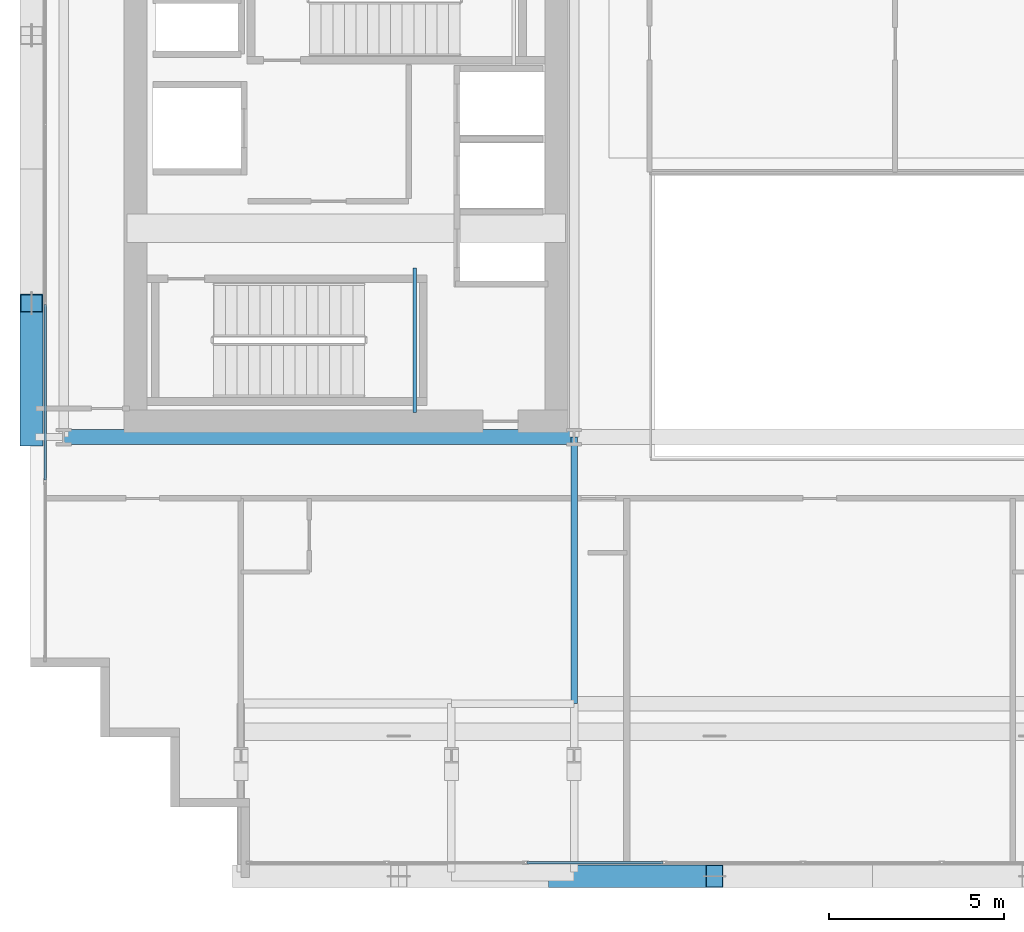
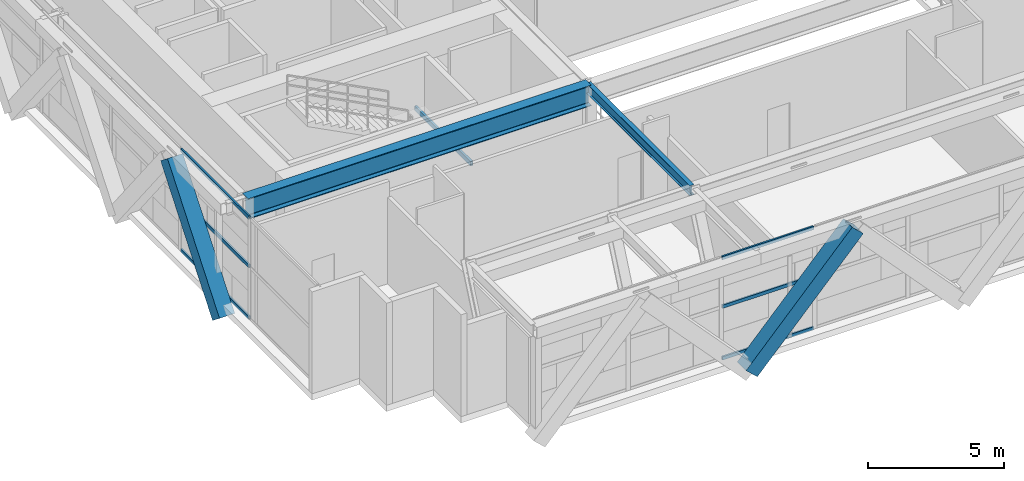
# One storey, part 3 of 35: 8 members, 3 beams, 2 elements without a shape of their own.
"""IFC4 building model written with IfcOpenShell, lengths in metres."""

import ifcopenshell
import ifcopenshell.guid

model = None  # the IFC model being written
_history = None  # IfcOwnerHistory: only IFC2X3 demands one
_inside = {}  # id of a spatial element -> (the spatial element, [elements in it])
_under = {}  # id of a project, library or spatial element -> (it, [spatial elements below it])
_declared = {}  # id of a project -> (the project, [libraries it declares])
_typed = {}  # id of a type object -> (the type object, [elements of that type])
_made_of = {}  # id of a material, layer set ... -> (it, [elements and type objects made of it])


def new_model(schema):
    """Start an empty IFC model of exactly this schema.

    Asked for "IFC4X3", IfcOpenShell would pick the latest addendum, in which some entities
    have other attributes; the version numbers below select the first issue.
    IFC2X3 requires an IfcOwnerHistory on every rooted entity: one is made here for all.
    """
    global model, _history
    if schema == "IFC4X3":
        model = ifcopenshell.file(schema_version=(4, 3, 0, 0))
    else:
        model = ifcopenshell.file(schema=schema)
    _inside.clear()
    _under.clear()
    _declared.clear()
    _typed.clear()
    _made_of.clear()
    _history = None
    if model.schema == "IFC2X3":
        org = make("IfcOrganization", Name="unknown")
        user = make(
            "IfcPersonAndOrganization",
            ThePerson=make("IfcPerson", FamilyName="unknown"),
            TheOrganization=org,
        )
        app = make(
            "IfcApplication",
            ApplicationDeveloper=org,
            Version="unknown",
            ApplicationFullName="unknown",
            ApplicationIdentifier="unknown",
        )
        _history = make(
            "IfcOwnerHistory",
            OwningUser=user,
            OwningApplication=app,
            ChangeAction="ADDED",
            CreationDate=0,
        )
    return model


def make(cls, **values):
    """One entity of the class cls with the attributes given. An attribute that is None is left unset."""
    return model.create_entity(
        cls, **{name: value for name, value in values.items() if value is not None}
    )


def rooted(cls, **values):
    """An entity with a GlobalId (a new one), such as an element, a storey or a relation."""
    return make(cls, GlobalId=ifcopenshell.guid.new(), OwnerHistory=_history, **values)


def si_unit(unit_type, name, prefix=None):
    """IfcSIUnit, for example si_unit("LENGTHUNIT", "METRE", prefix="MILLI")."""
    return make("IfcSIUnit", UnitType=unit_type, Prefix=prefix, Name=name)


def assignment(units):
    """IfcUnitAssignment: the units of a project."""
    return None if units is None else make("IfcUnitAssignment", Units=units)


def point(xyz):
    """IfcCartesianPoint."""
    return None if xyz is None else make("IfcCartesianPoint", Coordinates=xyz)


def direction(xyz):
    """IfcDirection."""
    return None if xyz is None else make("IfcDirection", DirectionRatios=xyz)


def frame(location, z_axis=None, x_axis=None):
    """IfcAxis2Placement3D, a coordinate frame: its origin and axes. An axis left out is left unset."""
    return make(
        "IfcAxis2Placement3D",
        Location=point(location),
        Axis=direction(z_axis),
        RefDirection=direction(x_axis),
    )


def frame_2d(location, x_axis=None):
    """IfcAxis2Placement2D, a coordinate frame in the plane: its origin and x axis."""
    return make(
        "IfcAxis2Placement2D", Location=point(location), RefDirection=direction(x_axis)
    )


def origin():
    """The frame at (0, 0, 0) with its axes left unset."""
    return frame((0.0, 0.0, 0.0))


def origin_2d():
    """The frame at (0, 0) in the plane with its x axis left unset."""
    return frame_2d((0.0, 0.0))


def place(relative_to, where):
    """IfcLocalPlacement: puts the frame where relative to a parent placement (None: the world)."""
    return make(
        "IfcLocalPlacement", PlacementRelTo=relative_to, RelativePlacement=where
    )


def context(
    kind, dimensions, precision=None, world=None, true_north=None, identifier=None
):
    """IfcGeometricRepresentationContext, for example the 3D "Model" context."""
    return make(
        "IfcGeometricRepresentationContext",
        ContextIdentifier=identifier,
        ContextType=kind,
        CoordinateSpaceDimension=dimensions,
        Precision=precision,
        WorldCoordinateSystem=world,
        TrueNorth=true_north,
    )


def subcontext(parent, identifier, kind, view, scale=None):
    """IfcGeometricRepresentationSubContext, for example "Body" below "Model"."""
    return make(
        "IfcGeometricRepresentationSubContext",
        ContextIdentifier=identifier,
        ContextType=kind,
        ParentContext=parent,
        TargetScale=scale,
        TargetView=view,
    )


def project(units=None, contexts=None):
    """IfcProject with its units and contexts."""
    return rooted(
        "IfcProject",
        Name="project",
        RepresentationContexts=contexts,
        UnitsInContext=assignment(units),
    )


def spatial(cls, under=None, at=None, **own):
    """A site, building, storey or space (cls), placed at a placement, below another one or the project."""
    s = rooted(cls, ObjectPlacement=at, **own)
    if under is not None:
        _under.setdefault(under.id(), (under, []))[1].append(s)
    return s


def profile(cls, at=None, kind="AREA", **sizes):
    """A parametric profile (cls). Its sizes go by their IFC names, for example OverallWidth=200.0."""
    return make(cls, ProfileType=kind, Position=at, **sizes)


def hollow_rectangle(**sizes):
    """IfcRectangleHollowProfileDef."""
    return profile("IfcRectangleHollowProfileDef", **sizes)


def i_section(**sizes):
    """IfcIShapeProfileDef."""
    return profile("IfcIShapeProfileDef", **sizes)


def extrude(swept, where, along, depth):
    """IfcExtrudedAreaSolid: the profile swept, set in the frame where, extruded along a direction by depth."""
    return make(
        "IfcExtrudedAreaSolid",
        SweptArea=swept,
        Position=where,
        ExtrudedDirection=direction(along),
        Depth=depth,
    )


def shape(context_of_items, identifier, shape_type, items):
    """IfcShapeRepresentation: the items that make up one representation, for example the "Body"."""
    return make(
        "IfcShapeRepresentation",
        ContextOfItems=context_of_items,
        RepresentationIdentifier=identifier,
        RepresentationType=shape_type,
        Items=items,
    )


def source(mapping_origin, context_of_items, identifier, shape_type, items):
    """IfcRepresentationMap: a shape defined once, which mapped items show again and again."""
    return make(
        "IfcRepresentationMap",
        MappingOrigin=mapping_origin,
        MappedRepresentation=shape(context_of_items, identifier, shape_type, items),
    )


def transform(
    local_origin,
    x_axis=None,
    y_axis=None,
    z_axis=None,
    scale=None,
    scale2=None,
    scale3=None,
    uniform=True,
):
    """IfcCartesianTransformationOperator3D, or its non-uniform kind. x_axis, y_axis, z_axis: its Axis1, 2, 3."""
    if uniform:
        return make(
            "IfcCartesianTransformationOperator3D",
            Axis1=direction(x_axis),
            Axis2=direction(y_axis),
            LocalOrigin=point(local_origin),
            Scale=scale,
            Axis3=direction(z_axis),
        )
    return make(
        "IfcCartesianTransformationOperator3DnonUniform",
        Axis1=direction(x_axis),
        Axis2=direction(y_axis),
        LocalOrigin=point(local_origin),
        Scale=scale,
        Axis3=direction(z_axis),
        Scale2=scale2,
        Scale3=scale3,
    )


def mapped(mapping_source, mapping_target):
    """IfcMappedItem: shows the shape of a source again, moved by a transform."""
    return make(
        "IfcMappedItem", MappingSource=mapping_source, MappingTarget=mapping_target
    )


def material(Name=None, Category=None):
    """IfcMaterial."""
    return make("IfcMaterial", Name=Name, Category=Category)


def layer(
    of_material, thickness, ventilated=None, Name=None, Category=None, Priority=None
):
    """IfcMaterialLayer: one layer of a wall or slab, of a material (None: an air gap)."""
    return make(
        "IfcMaterialLayer",
        Material=of_material,
        LayerThickness=thickness,
        IsVentilated=ventilated,
        Name=Name,
        Category=Category,
        Priority=Priority,
    )


def layer_set(layers, Name=None):
    """IfcMaterialLayerSet."""
    return make("IfcMaterialLayerSet", MaterialLayers=layers, LayerSetName=Name)


def material_profile(
    of_material, cross_section, Name=None, Category=None, Priority=None
):
    """IfcMaterialProfile: a cross section and its material."""
    return make(
        "IfcMaterialProfile",
        Name=Name,
        Material=of_material,
        Profile=cross_section,
        Priority=Priority,
        Category=Category,
    )


def profile_set(profiles, Name=None, composite=None):
    """IfcMaterialProfileSet."""
    return make(
        "IfcMaterialProfileSet",
        Name=Name,
        MaterialProfiles=profiles,
        CompositeProfile=composite,
    )


def made_of(thing, what):
    """Note that an element or type object is made of a material, layer set ...; save() writes the relation."""
    if what is not None:
        _made_of.setdefault(what.id(), (what, []))[1].append(thing)
    return thing


def type_object(cls, material=None, **own):
    """A type object (cls), such as IfcWallType, which elements share."""
    return made_of(rooted(cls, **own), material)


def element(
    cls,
    number,
    at=None,
    inside=None,
    cuts=None,
    type_object=None,
    material=None,
    context=None,
    identifier="Body",
    shape_type=None,
    held_by="IfcProductDefinitionShape",
    body=None,
    shapes=None,
    **own,
):
    """One element of the class cls, such as IfcWall. Its Tag is "e" and its number.

    at: its placement. inside: the storey or other place that contains it. cuts: it is an
    opening in that element (IfcRelVoidsElement). A single representation is given by context,
    identifier, shape_type and body (its items); several are given by shapes. held_by: the class
    of the entity that holds the representations. save() writes the other relations.
    """
    e = rooted(cls, Tag="e%d" % number, ObjectPlacement=at, **own)
    if body is not None:
        shapes = [shape(context, identifier, shape_type, body)]
    if shapes is not None:
        e.Representation = make(held_by, Representations=shapes)
    if inside is not None:
        _inside.setdefault(inside.id(), (inside, []))[1].append(e)
    if cuts is not None:
        rooted(
            "IfcRelVoidsElement", RelatingBuildingElement=cuts, RelatedOpeningElement=e
        )
    if type_object is not None:
        _typed.setdefault(type_object.id(), (type_object, []))[1].append(e)
    return made_of(e, material)


def aggregate(whole, parts):
    """IfcRelAggregates: a whole, such as a stair, and the parts it consists of."""
    return rooted("IfcRelAggregates", RelatingObject=whole, RelatedObjects=parts)


def save(model, path):
    """Write the relations noted so far, then the file.

    IfcRelAggregates (storeys below a building ...), IfcRelContainedInSpatialStructure (elements
    in a storey), IfcRelDefinesByType, IfcRelAssociatesMaterial and IfcRelDeclares: one each for
    every whole, place, type object, material and project.
    """
    for whole, parts in _under.values():
        aggregate(whole, parts)
    for where, things in _inside.values():
        rooted(
            "IfcRelContainedInSpatialStructure",
            RelatedElements=things,
            RelatingStructure=where,
        )
    for kind, things in _typed.values():
        rooted("IfcRelDefinesByType", RelatedObjects=things, RelatingType=kind)
    for what, things in _made_of.values():
        rooted("IfcRelAssociatesMaterial", RelatedObjects=things, RelatingMaterial=what)
    for by, libraries in _declared.values():
        rooted("IfcRelDeclares", RelatingContext=by, RelatedDefinitions=libraries)
    model.write(path)


model = new_model("IFC4")

# Units and contexts
model_context = context("Model", 3, precision=1e-05, world=origin(), true_north=direction((0.0, 1.0)))
body_context = subcontext(model_context, "Body", "Model", "MODEL_VIEW")
ifc_project = project(units=[si_unit("LENGTHUNIT", "METRE"), si_unit("AREAUNIT", "SQUARE_METRE"), si_unit("VOLUMEUNIT", "CUBIC_METRE"), si_unit("PLANEANGLEUNIT", "RADIAN"), si_unit("MASSUNIT", "GRAM", prefix="KILO")], contexts=[model_context])

# Site, building, storey
site_placement = place(None, origin())
site = spatial("IfcSite", under=ifc_project, at=site_placement, CompositionType="ELEMENT")
building_placement = place(site_placement, origin())
building = spatial("IfcBuilding", under=site, at=building_placement, Name="Ocotamira Hotel", CompositionType="ELEMENT")
storey_placement = place(building_placement, frame((0.0, 0.0, 158.39990234375)))
storey = spatial("IfcBuildingStorey", under=building, at=storey_placement, Name="L39", CompositionType="ELEMENT", Elevation=158.39990234375)

# Beams
ifc_material_1 = material(Name="Steel ASTM A500 Grade C", Category="steel")
ifc_material_profile_1 = material_profile(ifc_material_1, hollow_rectangle(XDim=0.10009765625, YDim=0.199951171875, WallThickness=0.008056640625, at=origin_2d()), Name="HSS200X100X8")
ifc_profile_set_1 = profile_set([ifc_material_profile_1], Name="Steel ASTM A500 Grade C")
beam_type_1 = type_object("IfcBeamType", Name="BM-STLDG-HSS200", PredefinedType="BEAM", material=ifc_profile_set_1)
shared_shape_1 = source(origin(), body_context, "Body", "SweptSolid", [
    extrude(hollow_rectangle(XDim=0.10009765625, YDim=0.199951171875, WallThickness=0.008056640625, at=origin_2d()), origin(), (0.0, 0.0, 1.0), 4.1201171875),
])
beam_1_placement = place(storey_placement, frame((18.949951171875, 15.25, 2.10009765625), z_axis=(0.0, 1.0, 0.0), x_axis=(-1.0, 0.0, 0.0)))
element("IfcBeam", 1, at=beam_1_placement, inside=storey, type_object=beam_type_1, Name="L39 Stair ST-1 Landing Bearer 1", PredefinedType="BEAM", context=body_context, shape_type="MappedRepresentation", body=[
    mapped(shared_shape_1, transform((0.0, 0.0, 0.0), scale=1.0)),
])
ifc_material_2 = material(Name="Steel ASTM A992 Grade 50", Category="steel")
ifc_material_profile_2 = material_profile(ifc_material_2, i_section(OverallWidth=0.41796875, OverallDepth=0.927001953125, WebThickness=0.019287109375, FlangeThickness=0.031982421875, FilletRadius=0.02392578125, at=origin_2d()), Name="W36X231")
ifc_profile_set_2 = profile_set([ifc_material_profile_2], Name="Steel ASTM A992 Grade 50")
beam_type_2 = type_object("IfcBeamType", Name="BM-GIRD-W36X231", PredefinedType="BEAM", material=ifc_profile_set_2)
shared_shape_2 = source(origin(), body_context, "Body", "SweptSolid", [
    extrude(i_section(OverallWidth=0.41796875, OverallDepth=0.927001953125, WebThickness=0.019287109375, FlangeThickness=0.031982421875, FilletRadius=0.02392578125, at=origin_2d()), origin(), (0.0, 0.0, 1.0), 14.550048828125),
])
beam_2_placement = place(storey_placement, frame((8.949951171875, 14.550048828125, 4.106689453125), z_axis=(1.0, 0.0, 0.0), x_axis=(0.0, 1.0, 0.0)))
element("IfcBeam", 2, at=beam_2_placement, inside=storey, type_object=beam_type_2, Name="L39 Girder Y14.55 X8.95-23.5", PredefinedType="BEAM", context=body_context, shape_type="MappedRepresentation", body=[
    mapped(shared_shape_2, transform((0.0, 0.0, 0.0), scale=1.0)),
])
ifc_material_profile_3 = material_profile(ifc_material_2, i_section(OverallWidth=0.18994140625, OverallDepth=0.45703125, WebThickness=0.009033203125, FlangeThickness=0.014404296875, FilletRadius=0.010009765625, at=origin_2d()), Name="W18X50")
ifc_profile_set_3 = profile_set([ifc_material_profile_3], Name="Steel ASTM A992 Grade 50")
beam_type_3 = type_object("IfcBeamType", Name="BM-SEC-W18X50", PredefinedType="JOIST", material=ifc_profile_set_3)
shared_shape_3 = source(origin(), body_context, "Body", "SweptSolid", [
    extrude(i_section(OverallWidth=0.18994140625, OverallDepth=0.45703125, WebThickness=0.009033203125, FlangeThickness=0.014404296875, FilletRadius=0.010009765625, at=origin_2d()), origin(), (0.0, 0.0, 1.0), 7.60009765625),
])
beam_3_placement = place(storey_placement, frame((23.5, 6.949951171875, 4.341552734375), z_axis=(0.0, 1.0, 0.0), x_axis=(-1.0, 0.0, 0.0)))
element("IfcBeam", 3, at=beam_3_placement, inside=storey, type_object=beam_type_3, Name="L39 Beam X23.5 Y6.95-14.55", PredefinedType="JOIST", context=body_context, shape_type="MappedRepresentation", body=[
    mapped(shared_shape_3, transform((0.0, 0.0, 0.0), scale=1.0)),
])

# Members
ifc_material_3 = material(Name="Pale-metal coated steel ASTM A913 Grade 65", Category="steel")
ifc_material_profile_4 = material_profile(ifc_material_3, hollow_rectangle(XDim=0.64990234375, YDim=0.64990234375, WallThickness=0.02197265625, at=origin_2d()), Name="BOX650X650X22")
ifc_profile_set_4 = profile_set([ifc_material_profile_4], Name="Pale-metal coated steel ASTM A913 Grade 65")
member_type_1 = type_object("IfcMemberType", Name="MEM-EXO-BOX650", PredefinedType="BRACE", material=ifc_profile_set_4)
shared_shape_4 = source(origin(), body_context, "Body", "SweptSolid", [
    extrude(hollow_rectangle(XDim=0.64990234375, YDim=0.64990234375, WallThickness=0.02197265625, at=origin_2d()), origin(), (0.0, 0.0, 1.0), 6.615966796875),
])
member_1_placement = place(storey_placement, frame((23.0, 2.030029296875, -0.52978515625), z_axis=(0.680172214763, 0.0, 0.73305235711), x_axis=(0.0, 1.0, 0.0)))
element("IfcMember", 4, at=member_1_placement, inside=storey, type_object=member_type_1, Name="L39 Exoskeleton Diagrid S1.1", PredefinedType="BRACE", context=body_context, shape_type="MappedRepresentation", body=[
    mapped(shared_shape_4, transform((0.0, 0.0, 0.0), scale=1.0)),
])
shared_shape_5 = source(origin(), body_context, "Body", "SweptSolid", [
    extrude(hollow_rectangle(XDim=0.64990234375, YDim=0.64990234375, WallThickness=0.02197265625, at=origin_2d()), origin(), (0.0, 0.0, 1.0), 6.171630859375),
])
member_2_placement = place(storey_placement, frame((8.030029296875, 14.550048828125, -0.52978515625), z_axis=(0.0, 0.618427608591, 0.785841773471), x_axis=(-1.0, 0.0, 0.0)))
element("IfcMember", 5, at=member_2_placement, inside=storey, type_object=member_type_1, Name="L39 Exoskeleton Diagrid W0.1", PredefinedType="BRACE", context=body_context, shape_type="MappedRepresentation", body=[
    mapped(shared_shape_5, transform((0.0, 0.0, 0.0), scale=1.0)),
])

# Curtain wall, members
ifc_material_4 = material(Name="Anodised pale-metal aluminium and solar glass", Category="aluminium")
ifc_layer = layer(ifc_material_4, 0.239990234375)
ifc_layer_set = layer_set([ifc_layer], Name="Anodised pale-metal aluminium and solar glass")
curtain_wall_type = type_object("IfcCurtainWallType", Name="CW-SYS5-SKY", PredefinedType="NOTDEFINED", material=ifc_layer_set)
curtain_wall_1_placement = place(storey_placement, origin())
curtain_wall_1 = element("IfcCurtainWall", 6, at=curtain_wall_1_placement, inside=storey, type_object=curtain_wall_type, Name="L39 Curtain Wall CW-5 CW-L39-S1", PredefinedType="NOTDEFINED")
ifc_material_5 = material(Name="Anodised pale-metal aluminium 6063-T6", Category="aluminium")
ifc_material_profile_5 = material_profile(ifc_material_5, hollow_rectangle(XDim=0.074951171875, YDim=0.14990234375, WallThickness=0.006103515625, at=origin_2d()), Name="HSS150X75X6")
ifc_profile_set_5 = profile_set([ifc_material_profile_5], Name="Anodised pale-metal aluminium 6063-T6")
member_type_2 = type_object("IfcMemberType", Name="CWT-150X75", PredefinedType="USERDEFINED", material=ifc_profile_set_5)
shared_shape_6 = source(origin(), body_context, "Body", "SweptSolid", [
    extrude(hollow_rectangle(XDim=0.074951171875, YDim=0.14990234375, WallThickness=0.006103515625, at=origin_2d()), origin(), (0.0, 0.0, 1.0), 3.87548828125),
])
member_3_placement = place(storey_placement, frame((22.151123046875, 2.419921875, 0.03759765625), z_axis=(1.0, 0.0, 0.0), x_axis=(0.0, 1.0, 0.0)))
member_3 = element("IfcMember", 7, at=member_3_placement, type_object=member_type_2, Name="CW-5 transom 3.1", ObjectType="TRANSOM", PredefinedType="USERDEFINED", context=body_context, shape_type="MappedRepresentation", body=[
    mapped(shared_shape_6, transform((0.0, 0.0, 0.0), scale=1.0)),
])
member_4_placement = place(storey_placement, frame((22.151123046875, 2.419921875, 2.35009765625), z_axis=(1.0, 0.0, 0.0), x_axis=(0.0, 1.0, 0.0)))
member_4 = element("IfcMember", 8, at=member_4_placement, type_object=member_type_2, Name="CW-5 transom 3.2", ObjectType="TRANSOM", PredefinedType="USERDEFINED", context=body_context, shape_type="MappedRepresentation", body=[
    mapped(shared_shape_6, transform((0.0, 0.0, 0.0), scale=1.0)),
])
member_5_placement = place(storey_placement, frame((22.151123046875, 2.419921875, 4.53271484375), z_axis=(1.0, 0.0, 0.0), x_axis=(0.0, 1.0, 0.0)))
member_5 = element("IfcMember", 9, at=member_5_placement, type_object=member_type_2, Name="CW-5 transom 3.3", ObjectType="TRANSOM", PredefinedType="USERDEFINED", context=body_context, shape_type="MappedRepresentation", body=[
    mapped(shared_shape_6, transform((0.0, 0.0, 0.0), scale=1.0)),
])
aggregate(curtain_wall_1, [member_3, member_4, member_5])

curtain_wall_2_placement = place(storey_placement, origin())
curtain_wall_2 = element("IfcCurtainWall", 10, at=curtain_wall_2_placement, inside=storey, type_object=curtain_wall_type, Name="L39 Curtain Wall CW-5 CW-L39-W", PredefinedType="NOTDEFINED")
shared_shape_7 = source(origin(), body_context, "Body", "SweptSolid", [
    extrude(hollow_rectangle(XDim=0.074951171875, YDim=0.14990234375, WallThickness=0.006103515625, at=origin_2d()), origin(), (0.0, 0.0, 1.0), 5.005859375),
])
member_6_placement = place(storey_placement, frame((8.419921875, 13.32568359375, 0.03759765625), z_axis=(0.0, 1.0, 0.0), x_axis=(-1.0, 0.0, 0.0)))
member_6 = element("IfcMember", 11, at=member_6_placement, type_object=member_type_2, Name="CW-5 transom 2.1", ObjectType="TRANSOM", PredefinedType="USERDEFINED", context=body_context, shape_type="MappedRepresentation", body=[
    mapped(shared_shape_7, transform((0.0, 0.0, 0.0), scale=1.0)),
])
member_7_placement = place(storey_placement, frame((8.419921875, 13.32568359375, 2.35009765625), z_axis=(0.0, 1.0, 0.0), x_axis=(-1.0, 0.0, 0.0)))
member_7 = element("IfcMember", 12, at=member_7_placement, type_object=member_type_2, Name="CW-5 transom 2.2", ObjectType="TRANSOM", PredefinedType="USERDEFINED", context=body_context, shape_type="MappedRepresentation", body=[
    mapped(shared_shape_7, transform((0.0, 0.0, 0.0), scale=1.0)),
])
member_8_placement = place(storey_placement, frame((8.419921875, 13.32568359375, 4.53271484375), z_axis=(0.0, 1.0, 0.0), x_axis=(-1.0, 0.0, 0.0)))
member_8 = element("IfcMember", 13, at=member_8_placement, type_object=member_type_2, Name="CW-5 transom 2.3", ObjectType="TRANSOM", PredefinedType="USERDEFINED", context=body_context, shape_type="MappedRepresentation", body=[
    mapped(shared_shape_7, transform((0.0, 0.0, 0.0), scale=1.0)),
])
aggregate(curtain_wall_2, [member_6, member_7, member_8])

save(model, "model.ifc")
